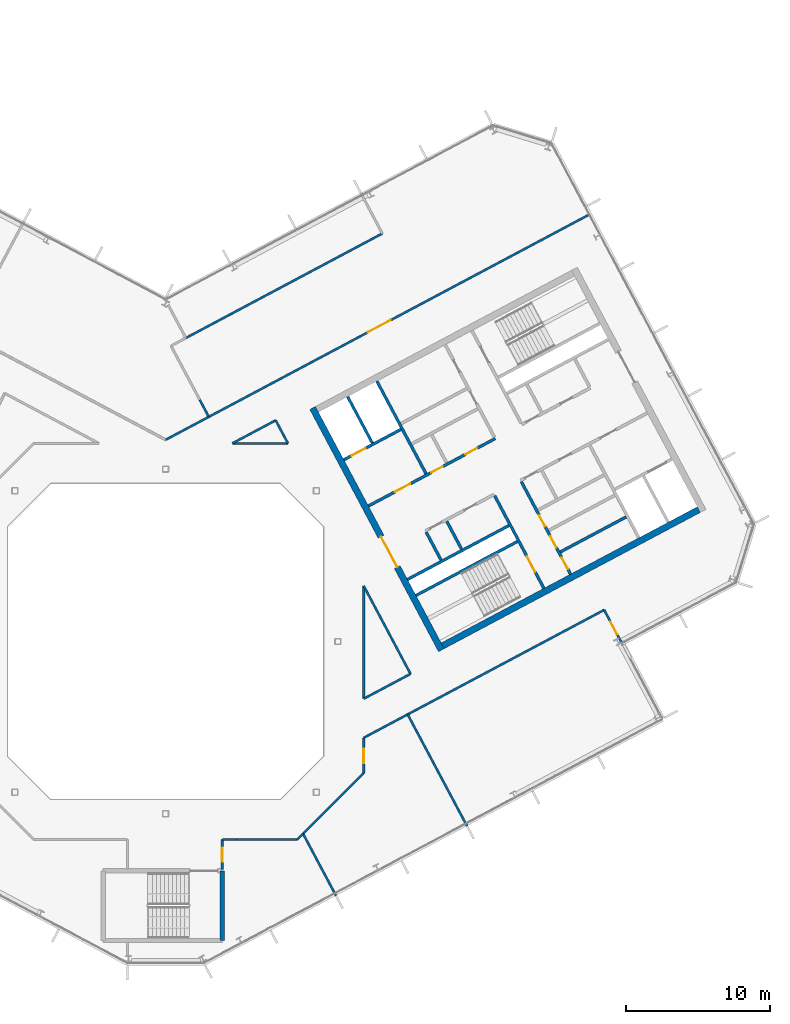
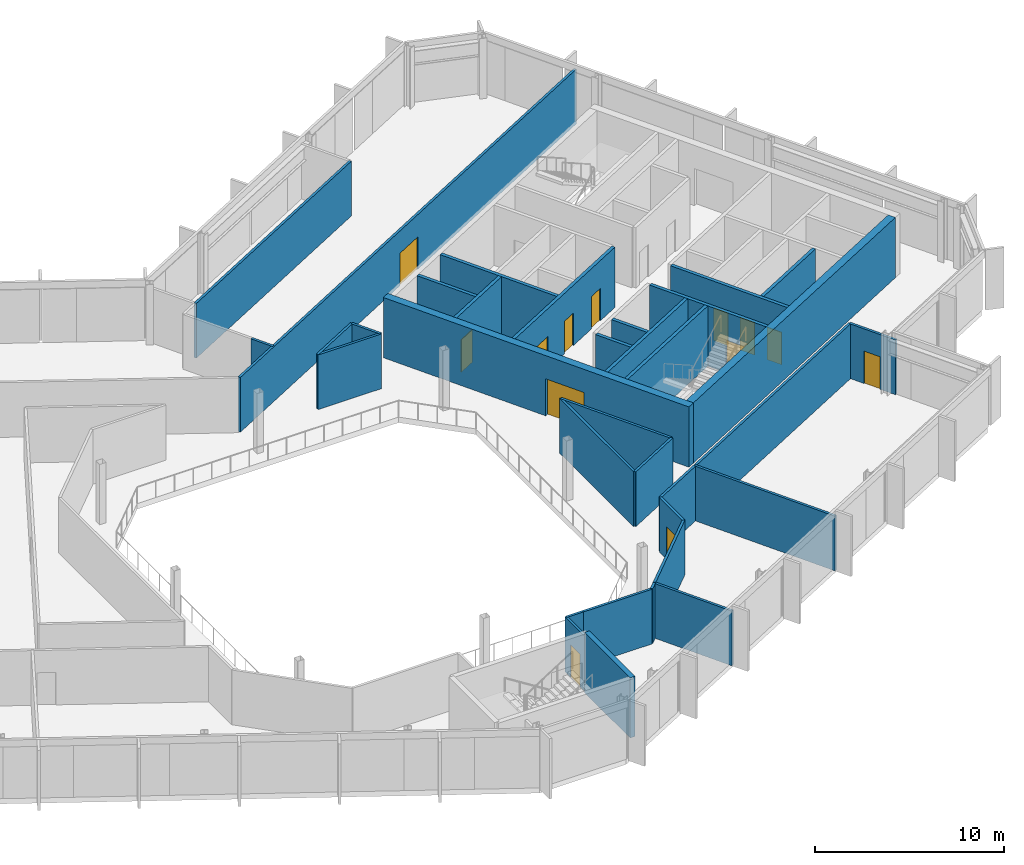
# One storey, part 15 of 25: 33 walls, 13 doors, 13 openings.
"""IFC4 building model written with IfcOpenShell, lengths in metres."""

from ifc_helpers import new_model, si_unit, direction, frame, frame_2d, origin, place, context, subcontext, project, spatial, rectangle, extrude, material, layer, layer_set, type_object, element, fill, save


model = new_model("IFC4")

# Units and contexts
model_context = context("Model", 3, precision=1e-05, world=origin(), true_north=direction((0.0, 1.0)))
body_context = subcontext(model_context, "Body", "Model", "MODEL_VIEW")
ifc_project = project(units=[si_unit("LENGTHUNIT", "METRE"), si_unit("AREAUNIT", "SQUARE_METRE"), si_unit("VOLUMEUNIT", "CUBIC_METRE"), si_unit("PLANEANGLEUNIT", "RADIAN"), si_unit("MASSUNIT", "GRAM", prefix="KILO")], contexts=[model_context])

# Site, building, storey
site_placement = place(None, origin())
site = spatial("IfcSite", under=ifc_project, at=site_placement, CompositionType="ELEMENT")
building_placement = place(site_placement, origin())
building = spatial("IfcBuilding", under=site, at=building_placement, Name="Cormorant Relay Tower", CompositionType="ELEMENT")
storey_placement = place(building_placement, frame((0.0, 0.0, 297.0)))
storey = spatial("IfcBuildingStorey", under=building, at=storey_placement, Name="L67", CompositionType="ELEMENT", Elevation=297.0)

# Walls
ifc_material_1 = material(Name="Concrete 40 MPa", Category="concrete")
ifc_layer_1 = layer(ifc_material_1, 0.199951171875)
ifc_layer_set_1 = layer_set([ifc_layer_1], Name="Core internal wall 200")
wall_type_1 = type_object("IfcWallType", Name="Core internal wall 200", PredefinedType="SOLIDWALL", material=ifc_layer_set_1)
wall_1_placement = place(storey_placement, frame((20.614013671875, 6.430419921875, 0.0), z_axis=(0.0, 0.0, 1.0), x_axis=(-0.4694473164, 0.882960484464, 0.0)))
element("IfcWall", 1, at=wall_1_placement, inside=storey, type_object=wall_type_1, Name="L67 core B shaft and room wall", PredefinedType="SOLIDWALL", context=body_context, shape_type="SweptSolid", body=[
    extrude(rectangle(XDim=2.199951171875, YDim=0.199951171875, at=frame_2d((1.10009765625, 0.0))), origin(), (0.0, 0.0, 1.0), 3.89990234375),
])
wall_2_placement = place(storey_placement, frame((27.490234375, 6.23583984375, 0.0), z_axis=(0.0, 0.0, 1.0), x_axis=(0.882953967957, 0.469459572775, 0.0)))
element("IfcWall", 2, at=wall_2_placement, inside=storey, type_object=wall_type_1, Name="L67 core B shaft and room wall", PredefinedType="SOLIDWALL", context=body_context, shape_type="SweptSolid", body=[
    extrude(rectangle(XDim=5.199951171875, YDim=0.199951171875, at=frame_2d((2.60009765625, 0.0))), origin(), (0.0, 0.0, 1.0), 3.89990234375),
])
ifc_material_2 = material(Name="Concrete 50 MPa", Category="concrete")
ifc_layer_2 = layer(ifc_material_2, 0.199951171875)
ifc_layer_set_2 = layer_set([ifc_layer_2], Name="Core shaft wall 200")
wall_type_2 = type_object("IfcWallType", Name="Core shaft wall 200", PredefinedType="SHEAR", material=ifc_layer_set_2)
wall_3_placement = place(storey_placement, frame((14.39404296875, 13.825927734375, 0.0), z_axis=(0.0, 0.0, 1.0), x_axis=(-0.469494272526, 0.882935517501, 0.0)))
element("IfcWall", 3, at=wall_3_placement, inside=storey, type_object=wall_type_2, Name="L67 core B shaft wall", PredefinedType="SHEAR", context=body_context, shape_type="SweptSolid", body=[
    extrude(rectangle(XDim=3.64990234375, YDim=0.199951171875, at=frame_2d((1.824951171875, 0.0))), origin(), (0.0, 0.0, 1.0), 3.89990234375),
])
wall_4_placement = place(storey_placement, frame((19.18359375, 5.669921875, 0.0), z_axis=(0.0, 0.0, 1.0), x_axis=(-0.4694473164, 0.882960484464, 0.0)))
element("IfcWall", 4, at=wall_4_placement, inside=storey, type_object=wall_type_2, Name="L67 core B shaft wall", PredefinedType="SHEAR", context=body_context, shape_type="SweptSolid", body=[
    extrude(rectangle(XDim=2.199951171875, YDim=0.199951171875, at=frame_2d((1.10009765625, 0.0))), origin(), (0.0, 0.0, 1.0), 3.89990234375),
])
wall_5_placement = place(storey_placement, frame((18.138427734375, 11.682861328125, 0.0), z_axis=(0.0, 0.0, 1.0), x_axis=(-0.469480409012, 0.88294288918, 0.0)))
element("IfcWall", 5, at=wall_5_placement, inside=storey, type_object=wall_type_2, Name="L67 core B shaft wall", PredefinedType="SHEAR", context=body_context, shape_type="SweptSolid", body=[
    extrude(rectangle(XDim=7.300048828125, YDim=0.199951171875, at=frame_2d((3.64990234375, 0.0))), origin(), (0.0, 0.0, 1.0), 3.89990234375),
])

# Wall, opening, door
wall_6_placement = place(storey_placement, frame((26.345947265625, 3.701904296875, 0.0), z_axis=(0.0, 0.0, 1.0), x_axis=(-0.469480409012, 0.88294288918, 0.0)))
wall_6 = element("IfcWall", 6, at=wall_6_placement, inside=storey, type_object=wall_type_2, Name="L67 core B shaft wall", PredefinedType="SHEAR", context=body_context, shape_type="SweptSolid", body=[
    extrude(rectangle(XDim=7.300048828125, YDim=0.199951171875, at=frame_2d((3.64990234375, 0.0))), origin(), (0.0, 0.0, 1.0), 3.89990234375),
])
opening_1_placement = place(wall_6_placement, frame((1.300048828125, 0.0, 0.0)))
opening_1 = element("IfcOpeningElement", 7, at=opening_1_placement, cuts=wall_6, Name="Opening CDB-040", PredefinedType="OPENING", context=body_context, shape_type="SweptSolid", body=[
    extrude(rectangle(XDim=1.199951171875, YDim=2.10009765625, at=frame_2d((0.60009765625, 1.050048828125))), frame((0.0, 0.10986328125, 0.0), z_axis=(0.0, -1.0, 0.0), x_axis=(1.0, 0.0, 0.0)), (0.0, 0.0, 1.0), 0.219970703125),
])
ifc_material_3 = material(Name="Steel fire door", Category="steel")
door_type_1 = type_object("IfcDoorType", Name="Core stair door 1200x2100", OperationType="SINGLE_SWING_LEFT", PredefinedType="DOOR", material=ifc_material_3)
door_1_placement = place(opening_1_placement, origin())
door_1 = element("IfcDoor", 8, at=door_1_placement, inside=storey, type_object=door_type_1, Name="Core stair door 1200x2100", OperationType="SINGLE_SWING_RIGHT", OverallHeight=2.10009765625, OverallWidth=1.199951171875, PredefinedType="DOOR", context=body_context, shape_type="SweptSolid", body=[
    extrude(rectangle(XDim=1.199951171875, YDim=2.10009765625, at=frame_2d((0.60009765625, 1.050048828125))), frame((0.0, 0.02490234375, 0.0), z_axis=(0.0, -1.0, 0.0), x_axis=(1.0, 0.0, 0.0)), (0.0, 0.0, 1.0), 0.050048828125),
])
fill(opening_1, door_1)

# Wall, openings, doors
wall_7_placement = place(storey_placement, frame((28.199951171875, 4.687744140625, 0.0), z_axis=(0.0, 0.0, 1.0), x_axis=(-0.469454336211, 0.882956752176, 0.0)))
wall_7 = element("IfcWall", 9, at=wall_7_placement, inside=storey, type_object=wall_type_2, Name="L67 core B shaft wall", PredefinedType="SHEAR", context=body_context, shape_type="SweptSolid", body=[
    extrude(rectangle(XDim=7.300048828125, YDim=0.199951171875, at=frame_2d((3.64990234375, 0.0))), origin(), (0.0, 0.0, 1.0), 3.89990234375),
])
opening_2_placement = place(wall_7_placement, frame((0.39990234375, 0.0, 0.0)))
opening_2 = element("IfcOpeningElement", 10, at=opening_2_placement, cuts=wall_7, Name="Opening CDD-343", PredefinedType="OPENING", context=body_context, shape_type="SweptSolid", body=[
    extrude(rectangle(XDim=0.89990234375, YDim=2.10009765625, at=frame_2d((0.449951171875, 1.050048828125))), frame((0.0, 0.10986328125, 0.0), z_axis=(0.0, -1.0, 0.0), x_axis=(1.0, 0.0, 0.0)), (0.0, 0.0, 1.0), 0.219970703125),
])
opening_3_placement = place(wall_7_placement, frame((2.10009765625, 0.0, 0.0)))
opening_3 = element("IfcOpeningElement", 11, at=opening_3_placement, cuts=wall_7, Name="Opening CDD-344", PredefinedType="OPENING", context=body_context, shape_type="SweptSolid", body=[
    extrude(rectangle(XDim=0.89990234375, YDim=2.10009765625, at=frame_2d((0.449951171875, 1.050048828125))), frame((0.0, 0.10986328125, 0.0), z_axis=(0.0, -1.0, 0.0), x_axis=(1.0, 0.0, 0.0)), (0.0, 0.0, 1.0), 0.219970703125),
])
opening_4_placement = place(wall_7_placement, frame((3.75, 0.0, 0.0)))
opening_4 = element("IfcOpeningElement", 12, at=opening_4_placement, cuts=wall_7, Name="Opening CDD-253", PredefinedType="OPENING", context=body_context, shape_type="SweptSolid", body=[
    extrude(rectangle(XDim=0.89990234375, YDim=2.10009765625, at=frame_2d((0.449951171875, 1.050048828125))), frame((0.0, 0.10986328125, 0.0), z_axis=(0.0, -1.0, 0.0), x_axis=(1.0, 0.0, 0.0)), (0.0, 0.0, 1.0), 0.219970703125),
])
ifc_material_4 = material(Name="Steel fire door", Category="steel")
door_type_2 = type_object("IfcDoorType", Name="Core room door 900x2100", OperationType="SINGLE_SWING_LEFT", PredefinedType="DOOR", material=ifc_material_4)
door_2_placement = place(opening_2_placement, frame((0.89990234375, 0.0, 0.0), z_axis=(0.0, 0.0, 1.0), x_axis=(-1.0, 0.0, 0.0)))
door_2 = element("IfcDoor", 13, at=door_2_placement, inside=storey, type_object=door_type_2, Name="Core room door 900x2100", OperationType="SINGLE_SWING_LEFT", OverallHeight=2.10009765625, OverallWidth=0.89990234375, PredefinedType="DOOR", context=body_context, shape_type="SweptSolid", body=[
    extrude(rectangle(XDim=0.89990234375, YDim=2.10009765625, at=frame_2d((0.449951171875, 1.050048828125))), frame((0.0, 0.02490234375, 0.0), z_axis=(0.0, -1.0, 0.0), x_axis=(1.0, 0.0, 0.0)), (0.0, 0.0, 1.0), 0.050048828125),
])
fill(opening_2, door_2)
door_3_placement = place(opening_3_placement, frame((0.89990234375, 0.0, 0.0), z_axis=(0.0, 0.0, 1.0), x_axis=(-1.0, 0.0, 0.0)))
door_3 = element("IfcDoor", 14, at=door_3_placement, inside=storey, type_object=door_type_2, Name="Core room door 900x2100", OperationType="SINGLE_SWING_LEFT", OverallHeight=2.10009765625, OverallWidth=0.89990234375, PredefinedType="DOOR", context=body_context, shape_type="SweptSolid", body=[
    extrude(rectangle(XDim=0.89990234375, YDim=2.10009765625, at=frame_2d((0.449951171875, 1.050048828125))), frame((0.0, 0.02490234375, 0.0), z_axis=(0.0, -1.0, 0.0), x_axis=(1.0, 0.0, 0.0)), (0.0, 0.0, 1.0), 0.050048828125),
])
fill(opening_3, door_3)
door_4_placement = place(opening_4_placement, frame((0.89990234375, 0.0, 0.0), z_axis=(0.0, 0.0, 1.0), x_axis=(-1.0, 0.0, 0.0)))
door_4 = element("IfcDoor", 15, at=door_4_placement, inside=storey, type_object=door_type_2, Name="Core room door 900x2100", OperationType="SINGLE_SWING_LEFT", OverallHeight=2.10009765625, OverallWidth=0.89990234375, PredefinedType="DOOR", context=body_context, shape_type="SweptSolid", body=[
    extrude(rectangle(XDim=0.89990234375, YDim=2.10009765625, at=frame_2d((0.449951171875, 1.050048828125))), frame((0.0, 0.02490234375, 0.0), z_axis=(0.0, -1.0, 0.0), x_axis=(1.0, 0.0, 0.0)), (0.0, 0.0, 1.0), 0.050048828125),
])
fill(opening_4, door_4)

# Walls
for number, where, z_axis, x_axis, name in (
    (16, (17.43359375, 3.210205078125, 0.0), (0.0, 0.0, 1.0), (0.882940221191, 0.469485426614, 0.0), "L67 core B shaft wall"),
    (17, (16.8466796875, 4.31396484375, 0.0), (0.0, 0.0, 1.0), (0.882940221191, 0.469485426614, 0.0), "L67 core B shaft wall"),
):
    element("IfcWall", number, at=place(storey_placement, frame(where, z_axis=z_axis, x_axis=x_axis)), inside=storey, type_object=wall_type_2, Name=name, PredefinedType="SHEAR", context=body_context, shape_type="SweptSolid", body=[
        extrude(rectangle(XDim=8.0, YDim=0.199951171875, at=frame_2d((4.0, 0.0))), origin(), (0.0, 0.0, 1.0), 3.89990234375),
    ])

# Wall, openings, doors
wall_8_placement = place(storey_placement, frame((14.123779296875, 9.43505859375, 0.0), z_axis=(0.0, 0.0, 1.0), x_axis=(0.882940221191, 0.469485426614, 0.0)))
wall_8 = element("IfcWall", 18, at=wall_8_placement, inside=storey, type_object=wall_type_2, Name="L67 core B shaft wall", PredefinedType="SHEAR", context=body_context, shape_type="SweptSolid", body=[
    extrude(rectangle(XDim=10.0, YDim=0.199951171875, at=frame_2d((5.0, 0.0))), origin(), (0.0, 0.0, 1.0), 3.89990234375),
])
opening_5_placement = place(wall_8_placement, frame((2.10009765625, 0.0, 0.0)))
opening_5 = element("IfcOpeningElement", 19, at=opening_5_placement, cuts=wall_8, Name="Opening CDC-037", PredefinedType="OPENING", context=body_context, shape_type="SweptSolid", body=[
    extrude(rectangle(XDim=1.199951171875, YDim=2.10009765625, at=frame_2d((0.60009765625, 1.050048828125))), frame((0.0, 0.10986328125, 0.0), z_axis=(0.0, -1.0, 0.0), x_axis=(1.0, 0.0, 0.0)), (0.0, 0.0, 1.0), 0.219970703125),
])
opening_6_placement = place(wall_8_placement, frame((4.9599609375, 0.0, 0.0)))
opening_6 = element("IfcOpeningElement", 20, at=opening_6_placement, cuts=wall_8, Name="Opening CDD-293", PredefinedType="OPENING", context=body_context, shape_type="SweptSolid", body=[
    extrude(rectangle(XDim=0.89990234375, YDim=2.10009765625, at=frame_2d((0.449951171875, 1.050048828125))), frame((0.0, 0.10986328125, 0.0), z_axis=(0.0, -1.0, 0.0), x_axis=(1.0, 0.0, 0.0)), (0.0, 0.0, 1.0), 0.219970703125),
])
opening_7_placement = place(wall_8_placement, frame((7.659912109375, 0.0, 0.0)))
opening_7 = element("IfcOpeningElement", 21, at=opening_7_placement, cuts=wall_8, Name="Opening CDD-272", PredefinedType="OPENING", context=body_context, shape_type="SweptSolid", body=[
    extrude(rectangle(XDim=0.89990234375, YDim=2.10009765625, at=frame_2d((0.449951171875, 1.050048828125))), frame((0.0, 0.10986328125, 0.0), z_axis=(0.0, -1.0, 0.0), x_axis=(1.0, 0.0, 0.0)), (0.0, 0.0, 1.0), 0.219970703125),
])
ifc_material_5 = material(Name="Steel fire door", Category="steel")
door_type_3 = type_object("IfcDoorType", Name="Core lobby door 1200x2100", OperationType="SINGLE_SWING_LEFT", PredefinedType="DOOR", material=ifc_material_5)
door_5_placement = place(opening_5_placement, origin())
door_5 = element("IfcDoor", 22, at=door_5_placement, inside=storey, type_object=door_type_3, Name="Core lobby door 1200x2100", OperationType="SINGLE_SWING_RIGHT", OverallHeight=2.10009765625, OverallWidth=1.199951171875, PredefinedType="DOOR", context=body_context, shape_type="SweptSolid", body=[
    extrude(rectangle(XDim=1.199951171875, YDim=2.10009765625, at=frame_2d((0.60009765625, 1.050048828125))), frame((0.0, 0.02490234375, 0.0), z_axis=(0.0, -1.0, 0.0), x_axis=(1.0, 0.0, 0.0)), (0.0, 0.0, 1.0), 0.050048828125),
])
fill(opening_5, door_5)
door_6_placement = place(opening_6_placement, origin())
door_6 = element("IfcDoor", 23, at=door_6_placement, inside=storey, type_object=door_type_2, Name="Core room door 900x2100", OperationType="SINGLE_SWING_LEFT", OverallHeight=2.10009765625, OverallWidth=0.89990234375, PredefinedType="DOOR", context=body_context, shape_type="SweptSolid", body=[
    extrude(rectangle(XDim=0.89990234375, YDim=2.10009765625, at=frame_2d((0.449951171875, 1.050048828125))), frame((0.0, 0.02490234375, 0.0), z_axis=(0.0, -1.0, 0.0), x_axis=(1.0, 0.0, 0.0)), (0.0, 0.0, 1.0), 0.050048828125),
])
fill(opening_6, door_6)
door_7_placement = place(opening_7_placement, origin())
door_7 = element("IfcDoor", 24, at=door_7_placement, inside=storey, type_object=door_type_2, Name="Core room door 900x2100", OperationType="SINGLE_SWING_LEFT", OverallHeight=2.10009765625, OverallWidth=0.89990234375, PredefinedType="DOOR", context=body_context, shape_type="SweptSolid", body=[
    extrude(rectangle(XDim=0.89990234375, YDim=2.10009765625, at=frame_2d((0.449951171875, 1.050048828125))), frame((0.0, 0.02490234375, 0.0), z_axis=(0.0, -1.0, 0.0), x_axis=(1.0, 0.0, 0.0)), (0.0, 0.0, 1.0), 0.050048828125),
])
fill(opening_7, door_7)

# Wall, opening, door
wall_9_placement = place(storey_placement, frame((12.41015625, 12.657958984375, 0.0), z_axis=(0.0, 0.0, 1.0), x_axis=(0.8829484765, 0.469469900894, 0.0)))
wall_9 = element("IfcWall", 25, at=wall_9_placement, inside=storey, type_object=wall_type_2, Name="L67 core B shaft wall", PredefinedType="SHEAR", context=body_context, shape_type="SweptSolid", body=[
    extrude(rectangle(XDim=4.499755859375, YDim=0.199951171875, at=frame_2d((2.25, 0.0))), origin(), (0.0, 0.0, 1.0), 3.89990234375),
])
opening_8_placement = place(wall_9_placement, frame((0.60009765625, 0.0, 0.0)))
opening_8 = element("IfcOpeningElement", 26, at=opening_8_placement, cuts=wall_9, Name="Opening LD1-064", PredefinedType="OPENING", context=body_context, shape_type="SweptSolid", body=[
    extrude(rectangle(XDim=1.10009765625, YDim=2.10009765625, at=frame_2d((0.550048828125, 1.050048828125))), frame((0.0, 0.10986328125, 0.0), z_axis=(0.0, -1.0, 0.0), x_axis=(1.0, 0.0, 0.0)), (0.0, 0.0, 1.0), 0.219970703125),
])
ifc_material_6 = material(Name="Stainless steel 316", Category="steel")
door_type_4 = type_object("IfcDoorType", Name="Lift landing door 1100x2100", OperationType="DOUBLE_DOOR_SLIDING", PredefinedType="DOOR", material=ifc_material_6)
door_8_placement = place(opening_8_placement, origin())
door_8 = element("IfcDoor", 27, at=door_8_placement, inside=storey, type_object=door_type_4, Name="FF2 landing door", OperationType="DOUBLE_DOOR_SLIDING", OverallHeight=2.10009765625, OverallWidth=1.10009765625, PredefinedType="DOOR", context=body_context, shape_type="SweptSolid", body=[
    extrude(rectangle(XDim=1.10009765625, YDim=2.10009765625, at=frame_2d((0.550048828125, 1.050048828125))), frame((0.0, 0.02490234375, 0.0), z_axis=(0.0, -1.0, 0.0), x_axis=(1.0, 0.0, 0.0)), (0.0, 0.0, 1.0), 0.050048828125),
])
fill(opening_8, door_8)

ifc_material_7 = material(Name="Concrete 50 MPa", Category="concrete")
ifc_layer_3 = layer(ifc_material_7, 0.449951171875)
ifc_layer_set_3 = layer_set([ifc_layer_3], Name="Core wall 450")
wall_type_3 = type_object("IfcWallType", Name="Core wall 450", PredefinedType="SHEAR", material=ifc_layer_set_3)
wall_10_placement = place(storey_placement, frame((19.20654296875, -0.603759765625, 0.0), z_axis=(0.0, 0.0, 1.0), x_axis=(-0.469467968382, 0.882949504028, 0.0)))
wall_10 = element("IfcWall", 28, at=wall_10_placement, inside=storey, type_object=wall_type_3, Name="L67 core B wall", PredefinedType="SHEAR", context=body_context, shape_type="SweptSolid", body=[
    extrude(rectangle(XDim=19.099853515625, YDim=0.449951171875, at=frame_2d((9.5498046875, 0.0))), origin(), (0.0, 0.0, 1.0), 3.89990234375),
])
opening_9_placement = place(wall_10_placement, frame((6.550048828125, 0.0, 0.0)))
opening_9 = element("IfcOpeningElement", 29, at=opening_9_placement, cuts=wall_10, Name="Opening CDA-055", PredefinedType="OPENING", context=body_context, shape_type="SweptSolid", body=[
    extrude(rectangle(XDim=2.39990234375, YDim=2.39990234375, at=frame_2d((1.199951171875, 1.199951171875))), frame((0.0, 0.23486328125, 0.0), z_axis=(0.0, -1.0, 0.0), x_axis=(1.0, 0.0, 0.0)), (0.0, 0.0, 1.0), 0.469970703125),
])
ifc_material_8 = material(Name="Steel fire door", Category="steel")
door_type_5 = type_object("IfcDoorType", Name="Core lobby door 2400x2400", OperationType="DOUBLE_DOOR_SINGLE_SWING", PredefinedType="DOOR", material=ifc_material_8)
door_9_placement = place(opening_9_placement, origin())
door_9 = element("IfcDoor", 30, at=door_9_placement, inside=storey, type_object=door_type_5, Name="Core lobby door 2400x2400", OperationType="DOUBLE_DOOR_SINGLE_SWING", OverallHeight=2.39990234375, OverallWidth=2.39990234375, PredefinedType="DOOR", context=body_context, shape_type="SweptSolid", body=[
    extrude(rectangle(XDim=2.39990234375, YDim=2.39990234375, at=frame_2d((1.199951171875, 1.199951171875))), frame((0.0, 0.02490234375, 0.0), z_axis=(0.0, -1.0, 0.0), x_axis=(1.0, 0.0, 0.0)), (0.0, 0.0, 1.0), 0.050048828125),
])
fill(opening_9, door_9)

# Wall
wall_11_placement = place(storey_placement, frame((19.299560546875, -0.29931640625, 0.0), z_axis=(0.0, 0.0, 1.0), x_axis=(0.88295276571, 0.46946183394, 0.0)))
element("IfcWall", 31, at=wall_11_placement, inside=storey, type_object=wall_type_3, Name="L67 core B wall", PredefinedType="SHEAR", context=body_context, shape_type="SweptSolid", body=[
    extrude(rectangle(XDim=20.199951171875, YDim=0.449951171875, at=frame_2d((10.10009765625, 0.0))), origin(), (0.0, 0.0, 1.0), 3.89990234375),
])

# Wall, opening, door
ifc_material_9 = material(Name="Gypsum board fire partition")
ifc_layer_4 = layer(ifc_material_9, 0.14990234375)
ifc_layer_set_4 = layer_set([ifc_layer_4], Name="Corridor partition 150 EI 60")
wall_type_4 = type_object("IfcWallType", Name="Corridor partition 150 EI 60", PredefinedType="PARTITIONING", material=ifc_layer_set_4)
wall_12_placement = place(storey_placement, frame((0.0, 14.0439453125, 0.0), z_axis=(0.0, 0.0, 1.0), x_axis=(0.882952097871, 0.469463089992, 0.0)))
wall_12 = element("IfcWall", 32, at=wall_12_placement, inside=storey, type_object=wall_type_4, Name="wall/L67/part/009", PredefinedType="PARTITIONING", context=body_context, shape_type="SweptSolid", body=[
    extrude(rectangle(XDim=33.606689453125, YDim=0.14990234375, at=frame_2d((16.80322265625, 0.0))), origin(), (0.0, 0.0, 1.0), 3.5400390625),
])
opening_10_placement = place(wall_12_placement, frame((15.949951171875, 0.0, 0.0)))
opening_10 = element("IfcOpeningElement", 33, at=opening_10_placement, cuts=wall_12, Name="Opening DD-041", PredefinedType="OPENING", context=body_context, shape_type="SweptSolid", body=[
    extrude(rectangle(XDim=1.800048828125, YDim=2.10009765625, at=frame_2d((0.89990234375, 1.050048828125))), frame((0.0, 0.0849609375, 0.0), z_axis=(0.0, -1.0, 0.0), x_axis=(1.0, 0.0, 0.0)), (0.0, 0.0, 1.0), 0.169921875),
])
ifc_material_10 = material(Name="Timber door leaf", Category="wood")
door_type_6 = type_object("IfcDoorType", Name="Suite double door 1800x2100", OperationType="DOUBLE_DOOR_SINGLE_SWING", PredefinedType="DOOR", material=ifc_material_10)
door_10_placement = place(opening_10_placement, frame((1.800048828125, 0.0, 0.0), z_axis=(0.0, 0.0, 1.0), x_axis=(-1.0, 0.0, 0.0)))
door_10 = element("IfcDoor", 34, at=door_10_placement, inside=storey, type_object=door_type_6, Name="door/L67/012", OperationType="DOUBLE_DOOR_SINGLE_SWING", OverallHeight=2.10009765625, OverallWidth=1.800048828125, PredefinedType="DOOR", context=body_context, shape_type="SweptSolid", body=[
    extrude(rectangle(XDim=1.800048828125, YDim=2.10009765625, at=frame_2d((0.89990234375, 1.050048828125))), frame((0.0, 0.02490234375, 0.0), z_axis=(0.0, -1.0, 0.0), x_axis=(1.0, 0.0, 0.0)), (0.0, 0.0, 1.0), 0.050048828125),
])
fill(opening_10, door_10)

# Wall
wall_13_placement = place(storey_placement, frame((4.9541015625, -13.800048828125, 0.0), z_axis=(0.0, 0.0, 1.0), x_axis=(-1.0, 0.0, 0.0)))
element("IfcWall", 35, at=wall_13_placement, inside=storey, type_object=wall_type_4, Name="wall/L67/part/033", PredefinedType="PARTITIONING", context=body_context, shape_type="SweptSolid", body=[
    extrude(rectangle(XDim=1.004150390625, YDim=0.14990234375, at=frame_2d((0.501953125, 0.0))), origin(), (0.0, 0.0, 1.0), 3.5400390625),
])

# Wall, opening, door
wall_14_placement = place(storey_placement, frame((3.949951171875, -13.800048828125, 0.0), z_axis=(0.0, 0.0, 1.0), x_axis=(0.0, -1.0, 0.0)))
wall_14 = element("IfcWall", 36, at=wall_14_placement, inside=storey, type_object=wall_type_4, Name="wall/L67/part/034", PredefinedType="PARTITIONING", context=body_context, shape_type="SweptSolid", body=[
    extrude(rectangle(XDim=2.074951171875, YDim=0.14990234375, at=frame_2d((1.03759765625, 0.0))), origin(), (0.0, 0.0, 1.0), 3.5400390625),
])
opening_11_placement = place(wall_14_placement, frame((0.550048828125, 0.0, 0.0)))
opening_11 = element("IfcOpeningElement", 37, at=opening_11_placement, cuts=wall_14, Name="Opening DS-107", PredefinedType="OPENING", context=body_context, shape_type="SweptSolid", body=[
    extrude(rectangle(XDim=1.0, YDim=2.10009765625, at=frame_2d((0.5, 1.050048828125))), frame((0.0, 0.0849609375, 0.0), z_axis=(0.0, -1.0, 0.0), x_axis=(1.0, 0.0, 0.0)), (0.0, 0.0, 1.0), 0.169921875),
])
ifc_material_11 = material(Name="Timber door leaf", Category="wood")
door_type_7 = type_object("IfcDoorType", Name="Suite door 1000x2100", OperationType="SINGLE_SWING_LEFT", PredefinedType="DOOR", material=ifc_material_11)
door_11_placement = place(opening_11_placement, origin())
door_11 = element("IfcDoor", 38, at=door_11_placement, inside=storey, type_object=door_type_7, Name="door/L67/005", OperationType="SINGLE_SWING_LEFT", OverallHeight=2.10009765625, OverallWidth=1.0, PredefinedType="DOOR", context=body_context, shape_type="SweptSolid", body=[
    extrude(rectangle(XDim=1.0, YDim=2.10009765625, at=frame_2d((0.5, 1.050048828125))), frame((0.0, 0.02490234375, 0.0), z_axis=(0.0, -1.0, 0.0), x_axis=(1.0, 0.0, 0.0)), (0.0, 0.0, 1.0), 0.050048828125),
])
fill(opening_11, door_11)

# Walls
wall_15_placement = place(storey_placement, frame((9.159912109375, -13.800048828125, 0.0), z_axis=(0.0, 0.0, 1.0), x_axis=(-1.0, 0.0, 0.0)))
element("IfcWall", 39, at=wall_15_placement, inside=storey, type_object=wall_type_4, Name="wall/L67/part/035", PredefinedType="PARTITIONING", context=body_context, shape_type="SweptSolid", body=[
    extrude(rectangle(XDim=4.205810546875, YDim=0.14990234375, at=frame_2d((2.10302734375, 0.0))), origin(), (0.0, 0.0, 1.0), 3.5400390625),
])
wall_16_placement = place(storey_placement, frame((9.158935546875, -13.800048828125, 0.0), z_axis=(0.0, 0.0, 1.0), x_axis=(0.707945081169, 0.70626748619, 0.0)))
element("IfcWall", 40, at=wall_16_placement, inside=storey, type_object=wall_type_4, Name="wall/L67/part/036", PredefinedType="PARTITIONING", context=body_context, shape_type="SweptSolid", body=[
    extrude(rectangle(XDim=0.58203125, YDim=0.14990234375, at=frame_2d((0.291015625, 0.0))), origin(), (0.0, 0.0, 1.0), 3.5400390625),
])

# Wall, opening, door
wall_17_placement = place(storey_placement, frame((13.800048828125, -6.722900390625, 0.0), z_axis=(0.0, 0.0, 1.0), x_axis=(0.0, -1.0, 0.0)))
wall_17 = element("IfcWall", 41, at=wall_17_placement, inside=storey, type_object=wall_type_4, Name="wall/L67/part/038", PredefinedType="PARTITIONING", context=body_context, shape_type="SweptSolid", body=[
    extrude(rectangle(XDim=2.43701171875, YDim=0.14990234375, at=frame_2d((1.218505859375, 0.0))), origin(), (0.0, 0.0, 1.0), 3.5400390625),
])
opening_12_placement = place(wall_17_placement, frame((0.75, 0.0, 0.0)))
opening_12 = element("IfcOpeningElement", 42, at=opening_12_placement, cuts=wall_17, Name="Opening DS-235", PredefinedType="OPENING", context=body_context, shape_type="SweptSolid", body=[
    extrude(rectangle(XDim=1.0, YDim=2.10009765625, at=frame_2d((0.5, 1.050048828125))), frame((0.0, 0.0849609375, 0.0), z_axis=(0.0, -1.0, 0.0), x_axis=(1.0, 0.0, 0.0)), (0.0, 0.0, 1.0), 0.169921875),
])
door_12_placement = place(opening_12_placement, frame((1.0, 0.0, 0.0), z_axis=(0.0, 0.0, 1.0), x_axis=(-1.0, 0.0, 0.0)))
door_12 = element("IfcDoor", 43, at=door_12_placement, inside=storey, type_object=door_type_7, Name="door/L67/006", OperationType="SINGLE_SWING_LEFT", OverallHeight=2.10009765625, OverallWidth=1.0, PredefinedType="DOOR", context=body_context, shape_type="SweptSolid", body=[
    extrude(rectangle(XDim=1.0, YDim=2.10009765625, at=frame_2d((0.5, 1.050048828125))), frame((0.0, 0.02490234375, 0.0), z_axis=(0.0, -1.0, 0.0), x_axis=(1.0, 0.0, 0.0)), (0.0, 0.0, 1.0), 0.050048828125),
])
fill(opening_12, door_12)

# Wall
wall_18_placement = place(storey_placement, frame((13.800048828125, -9.159912109375, 0.0), z_axis=(0.0, 0.0, 1.0), x_axis=(-0.707187736796, -0.707025816307, 0.0)))
element("IfcWall", 44, at=wall_18_placement, inside=storey, type_object=wall_type_4, Name="wall/L67/part/039", PredefinedType="PARTITIONING", context=body_context, shape_type="SweptSolid", body=[
    extrude(rectangle(XDim=6.031005859375, YDim=0.14990234375, at=frame_2d((3.015625, 0.0))), origin(), (0.0, 0.0, 1.0), 3.5400390625),
])

# Wall, opening, door
wall_19_placement = place(storey_placement, frame((31.89697265625, -0.346923828125, 0.0), z_axis=(0.0, 0.0, 1.0), x_axis=(-0.469576437406, 0.882891822045, 0.0)))
wall_19 = element("IfcWall", 45, at=wall_19_placement, inside=storey, type_object=wall_type_4, Name="wall/L67/part/041", PredefinedType="PARTITIONING", context=body_context, shape_type="SweptSolid", body=[
    extrude(rectangle(XDim=2.88134765625, YDim=0.14990234375, at=frame_2d((1.440673828125, 0.0))), origin(), (0.0, 0.0, 1.0), 3.5400390625),
])
opening_13_placement = place(wall_19_placement, frame((0.949951171875, 0.0, 0.0)))
opening_13 = element("IfcOpeningElement", 46, at=opening_13_placement, cuts=wall_19, Name="Opening DS-204", PredefinedType="OPENING", context=body_context, shape_type="SweptSolid", body=[
    extrude(rectangle(XDim=1.0, YDim=2.10009765625, at=frame_2d((0.5, 1.050048828125))), frame((0.0, 0.0849609375, 0.0), z_axis=(0.0, -1.0, 0.0), x_axis=(1.0, 0.0, 0.0)), (0.0, 0.0, 1.0), 0.169921875),
])
door_13_placement = place(opening_13_placement, origin())
door_13 = element("IfcDoor", 47, at=door_13_placement, inside=storey, type_object=door_type_7, Name="door/L67/007", OperationType="SINGLE_SWING_LEFT", OverallHeight=2.10009765625, OverallWidth=1.0, PredefinedType="DOOR", context=body_context, shape_type="SweptSolid", body=[
    extrude(rectangle(XDim=1.0, YDim=2.10009765625, at=frame_2d((0.5, 1.050048828125))), frame((0.0, 0.02490234375, 0.0), z_axis=(0.0, -1.0, 0.0), x_axis=(1.0, 0.0, 0.0)), (0.0, 0.0, 1.0), 0.050048828125),
])
fill(opening_13, door_13)

# Walls
wall_20_placement = place(storey_placement, frame((30.5439453125, 2.197021484375, 0.0), z_axis=(0.0, 0.0, 1.0), x_axis=(-0.88294347275, -0.469479311502, 0.0)))
element("IfcWall", 48, at=wall_20_placement, inside=storey, type_object=wall_type_4, Name="wall/L67/part/042", PredefinedType="PARTITIONING", context=body_context, shape_type="SweptSolid", body=[
    extrude(rectangle(XDim=18.963623046875, YDim=0.14990234375, at=frame_2d((9.48193359375, 0.0))), origin(), (0.0, 0.0, 1.0), 3.5400390625),
])
wall_21_placement = place(storey_placement, frame((7.6669921875, 15.402099609375, 0.0), z_axis=(0.0, 0.0, 1.0), x_axis=(-0.883005489543, -0.469362658759, 0.0)))
element("IfcWall", 49, at=wall_21_placement, inside=storey, type_object=wall_type_4, Name="wall/L67/part/052", PredefinedType="PARTITIONING", context=body_context, shape_type="SweptSolid", body=[
    extrude(rectangle(XDim=3.413330078125, YDim=0.14990234375, at=frame_2d((1.70654296875, 0.0))), origin(), (0.0, 0.0, 1.0), 3.5400390625),
])
wall_22_placement = place(storey_placement, frame((4.653076171875, 13.800048828125, 0.0), z_axis=(0.0, 0.0, 1.0), x_axis=(1.0, 0.0, 0.0)))
element("IfcWall", 50, at=wall_22_placement, inside=storey, type_object=wall_type_4, Name="wall/L67/part/053", PredefinedType="PARTITIONING", context=body_context, shape_type="SweptSolid", body=[
    extrude(rectangle(XDim=3.864990234375, YDim=0.14990234375, at=frame_2d((1.9326171875, 0.0))), origin(), (0.0, 0.0, 1.0), 3.5400390625),
])
wall_23_placement = place(storey_placement, frame((8.51806640625, 13.800048828125, 0.0), z_axis=(0.0, 0.0, 1.0), x_axis=(-0.469148666032, 0.883119204389, 0.0)))
element("IfcWall", 51, at=wall_23_placement, inside=storey, type_object=wall_type_4, Name="wall/L67/part/054", PredefinedType="PARTITIONING", context=body_context, shape_type="SweptSolid", body=[
    extrude(rectangle(XDim=1.81396484375, YDim=0.14990234375, at=frame_2d((0.906982421875, 0.0))), origin(), (0.0, 0.0, 1.0), 3.5400390625),
])
wall_24_placement = place(storey_placement, frame((13.800048828125, -3.988037109375, 0.0), z_axis=(0.0, 0.0, 1.0), x_axis=(0.882971660552, 0.469426295239, 0.0)))
element("IfcWall", 52, at=wall_24_placement, inside=storey, type_object=wall_type_4, Name="wall/L67/part/055", PredefinedType="PARTITIONING", context=body_context, shape_type="SweptSolid", body=[
    extrude(rectangle(XDim=3.6875, YDim=0.14990234375, at=frame_2d((1.84375, 0.0))), origin(), (0.0, 0.0, 1.0), 3.5400390625),
])
wall_25_placement = place(storey_placement, frame((17.055908203125, -2.257080078125, 0.0), z_axis=(0.0, 0.0, 1.0), x_axis=(-0.469433160251, 0.882968010778, 0.0)))
element("IfcWall", 53, at=wall_25_placement, inside=storey, type_object=wall_type_4, Name="wall/L67/part/056", PredefinedType="PARTITIONING", context=body_context, shape_type="SweptSolid", body=[
    extrude(rectangle(XDim=6.935791015625, YDim=0.14990234375, at=frame_2d((3.4677734375, 0.0))), origin(), (0.0, 0.0, 1.0), 3.5400390625),
])
wall_26_placement = place(storey_placement, frame((13.800048828125, 3.866943359375, 0.0), z_axis=(0.0, 0.0, 1.0), x_axis=(0.0, -1.0, 0.0)))
element("IfcWall", 54, at=wall_26_placement, inside=storey, type_object=wall_type_4, Name="wall/L67/part/057", PredefinedType="PARTITIONING", context=body_context, shape_type="SweptSolid", body=[
    extrude(rectangle(XDim=7.85498046875, YDim=0.14990234375, at=frame_2d((3.927490234375, 0.0))), origin(), (0.0, 0.0, 1.0), 3.5400390625),
])
ifc_material_12 = material(Name="Concrete 50 MPa", Category="concrete")
ifc_layer_5 = layer(ifc_material_12, 0.300048828125)
ifc_layer_set_5 = layer_set([ifc_layer_5], Name="Remote stair wall 300")
wall_type_5 = type_object("IfcWallType", Name="Remote stair wall 300", PredefinedType="SHEAR", material=ifc_layer_set_5)
wall_27_placement = place(storey_placement, frame((3.949951171875, -15.97509765625, 0.0), z_axis=(0.0, 0.0, 1.0), x_axis=(0.0, -1.0, 0.0)))
element("IfcWall", 55, at=wall_27_placement, inside=storey, type_object=wall_type_5, Name="L67 exit stair RK1 wall", PredefinedType="SHEAR", context=body_context, shape_type="SweptSolid", body=[
    extrude(rectangle(XDim=4.849853515625, YDim=0.300048828125, at=frame_2d((2.4248046875, 0.0))), origin(), (0.0, 0.0, 1.0), 3.89990234375),
])
ifc_material_13 = material(Name="Gypsum board partition")
ifc_layer_6 = layer(ifc_material_13, 0.14990234375)
ifc_layer_set_6 = layer_set([ifc_layer_6], Name="Tenant partition 150")
wall_type_6 = type_object("IfcWallType", Name="Tenant partition 150", PredefinedType="PARTITIONING", material=ifc_layer_set_6)
wall_28_placement = place(storey_placement, frame((2.3798828125, 16.824951171875, 0.0), z_axis=(0.0, 0.0, 1.0), x_axis=(0.469328592165, -0.88302359684, 0.0)))
element("IfcWall", 56, at=wall_28_placement, inside=storey, type_object=wall_type_6, Name="wall/L67/part/025", PredefinedType="PARTITIONING", context=body_context, shape_type="SweptSolid", body=[
    extrude(rectangle(XDim=1.33837890625, YDim=0.14990234375, at=frame_2d((0.669189453125, 0.0))), origin(), (0.0, 0.0, 1.0), 3.5400390625),
])
wall_29_placement = place(storey_placement, frame((1.405029296875, 21.133056640625, 0.0), z_axis=(0.0, 0.0, 1.0), x_axis=(0.882934197132, 0.469496755618, 0.0)))
element("IfcWall", 57, at=wall_29_placement, inside=storey, type_object=wall_type_6, Name="wall/L67/part/029", PredefinedType="PARTITIONING", context=body_context, shape_type="SweptSolid", body=[
    extrude(rectangle(XDim=15.50390625, YDim=0.14990234375, at=frame_2d((7.751953125, 0.0))), origin(), (0.0, 0.0, 1.0), 3.5400390625),
])
wall_30_placement = place(storey_placement, frame((9.572998046875, -13.386962890625, 0.0), z_axis=(0.0, 0.0, 1.0), x_axis=(0.469342774431, -0.883016058795, 0.0)))
element("IfcWall", 58, at=wall_30_placement, inside=storey, type_object=wall_type_6, Name="wall/L67/part/037", PredefinedType="PARTITIONING", context=body_context, shape_type="SweptSolid", body=[
    extrude(rectangle(XDim=4.885498046875, YDim=0.14990234375, at=frame_2d((2.44287109375, 0.0))), origin(), (0.0, 0.0, 1.0), 3.5400390625),
])
wall_31_placement = place(storey_placement, frame((16.85888671875, -5.080078125, 0.0), z_axis=(0.0, 0.0, 1.0), x_axis=(0.469445946219, -0.882961212952, 0.0)))
element("IfcWall", 59, at=wall_31_placement, inside=storey, type_object=wall_type_6, Name="wall/L67/part/040", PredefinedType="PARTITIONING", context=body_context, shape_type="SweptSolid", body=[
    extrude(rectangle(XDim=8.800048828125, YDim=0.14990234375, at=frame_2d((4.39990234375, 0.0))), origin(), (0.0, 0.0, 1.0), 3.5400390625),
])

save(model, "model.ifc")
